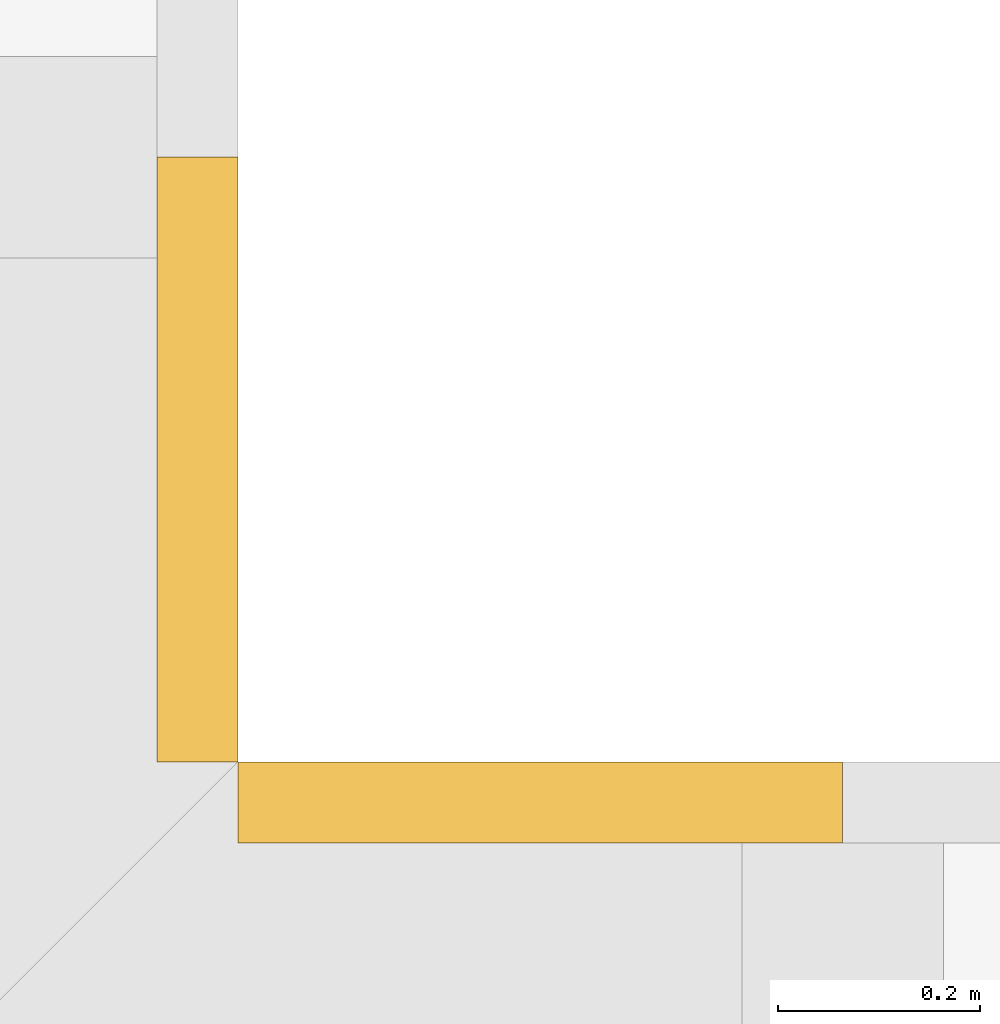
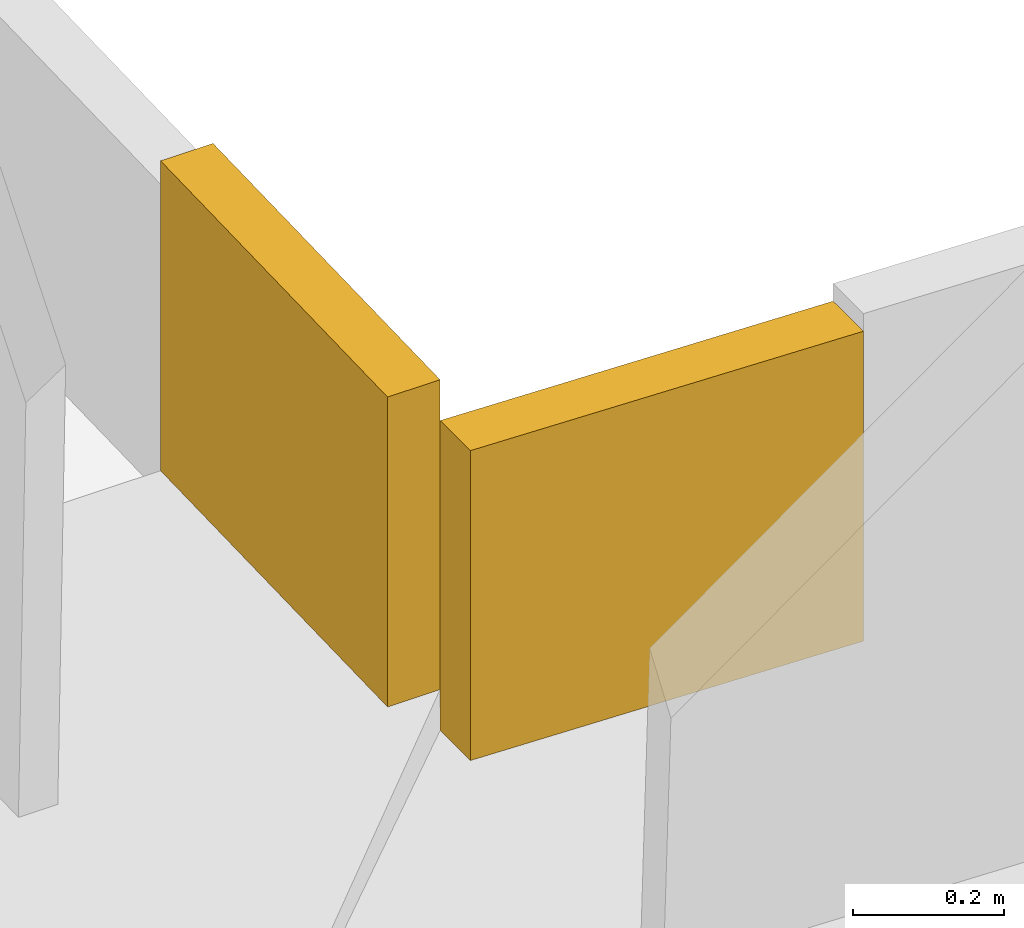
# One storey, part 27 of 27: 2 coverings.
"""IFC4 building model written with IfcOpenShell, lengths in metres."""

from ifc_helpers import new_model, si_unit, direction, frame, origin, place, context, subcontext, project, spatial, polyline, outline, extrude, material, layer, layer_set, type_object, element, save


model = new_model("IFC4")

# Units and contexts
model_context = context("Model", 3, precision=1e-05, world=origin(), true_north=direction((0.0, 1.0)))
body_context = subcontext(model_context, "Body", "Model", "MODEL_VIEW")
ifc_project = project(units=[si_unit("LENGTHUNIT", "METRE"), si_unit("AREAUNIT", "SQUARE_METRE"), si_unit("VOLUMEUNIT", "CUBIC_METRE"), si_unit("PLANEANGLEUNIT", "RADIAN"), si_unit("MASSUNIT", "GRAM", prefix="KILO")], contexts=[model_context])

# Site, building, storey
site_placement = place(None, origin())
site = spatial("IfcSite", under=ifc_project, at=site_placement, CompositionType="ELEMENT")
building_placement = place(site_placement, origin())
building = spatial("IfcBuilding", under=site, at=building_placement, Name="Saffron Gate Tower", CompositionType="ELEMENT")
storey_placement = place(building_placement, frame((0.0, 0.0, 267.14990234375)))
storey = spatial("IfcBuildingStorey", under=building, at=storey_placement, Name="L64", CompositionType="ELEMENT", Elevation=267.14990234375)

# Coverings
ifc_material = material(Name="Timber, thermally modified ash", Category="wood")
ifc_layer = layer(ifc_material, 0.080078125)
ifc_layer_set = layer_set([ifc_layer], Name="LD2 ledge planter trough")
covering_type = type_object("IfcCoveringType", Name="LD2 ledge planter trough", PredefinedType="CLADDING", material=ifc_layer_set)
covering_1_placement = place(storey_placement, frame((125.39990234375, 73.199951171875, 0.471923828125), z_axis=(0.0, 1.0, 0.0), x_axis=(-0.999582742162, 0.0, 0.028884971385)))
element("IfcCovering", 1, at=covering_1_placement, inside=storey, type_object=covering_type, Name="LEDGE planter trough", PredefinedType="CLADDING", context=body_context, shape_type="SweptSolid", body=[
    extrude(outline(polyline([(0.0, 0.0), (0.6001039136866089, 0.0), (0.614546399379222, 0.4997913710809928), (0.014442485692613144, 0.49979137108099286), (0.0, 0.0)])), origin(), (0.0, 0.0, -1.0), 0.080078125),
])
covering_2_placement = place(storey_placement, frame((124.800048828125, 73.199951171875, 0.55517578125), z_axis=(1.0, 0.0, 0.0), x_axis=(0.0, 0.999583081391, 0.028873229772)))
element("IfcCovering", 2, at=covering_2_placement, inside=storey, type_object=covering_type, Name="LEDGE planter trough", PredefinedType="CLADDING", context=body_context, shape_type="SweptSolid", body=[
    extrude(outline(polyline([(0.0, 0.0), (0.6003479524834376, -3.469446951953614e-18), (0.6147845673692678, 0.4997915406953566), (0.014436614885830073, 0.4997915406953566), (0.0, 0.0)])), origin(), (0.0, 0.0, -1.0), 0.080078125),
])

save(model, "model.ifc")
